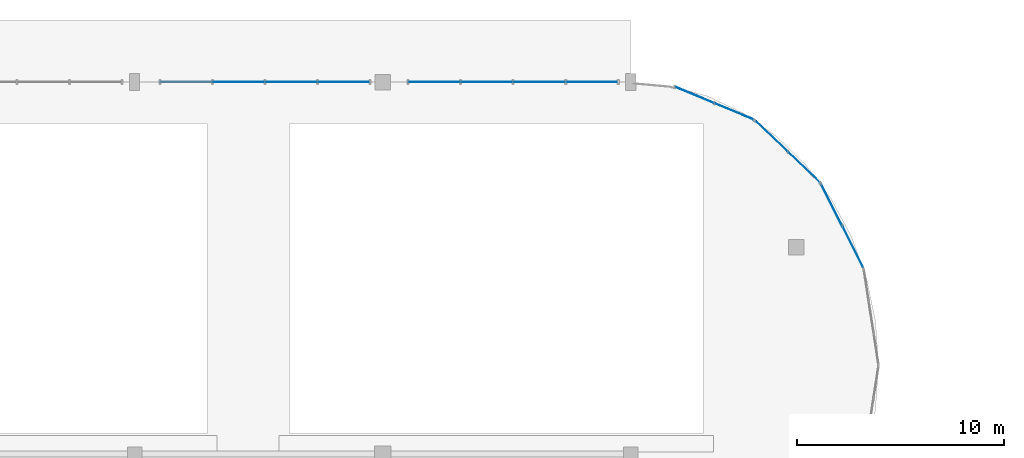
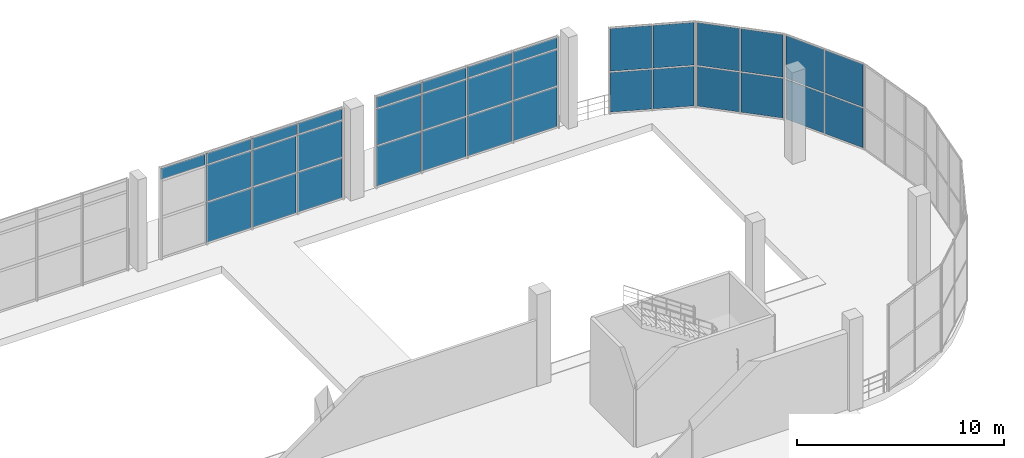
# One storey, part 56 of 85: 34 plates, 5 elements without a shape of their own.
"""IFC4 building model written with IfcOpenShell, lengths in metres."""

from ifc_helpers import new_model, si_unit, direction, frame, origin, origin_2d, place, context, subcontext, project, spatial, rectangle, extrude, material, layer, layer_set, type_object, element, aggregate, save


model = new_model("IFC4")

# Units and contexts
model_context = context("Model", 3, precision=1e-05, world=origin(), true_north=direction((0.0, 1.0)))
body_context = subcontext(model_context, "Body", "Model", "MODEL_VIEW")
ifc_project = project(units=[si_unit("LENGTHUNIT", "METRE"), si_unit("AREAUNIT", "SQUARE_METRE"), si_unit("VOLUMEUNIT", "CUBIC_METRE"), si_unit("PLANEANGLEUNIT", "RADIAN"), si_unit("MASSUNIT", "GRAM", prefix="KILO"), si_unit("THERMODYNAMICTEMPERATUREUNIT", "KELVIN"), si_unit("POWERUNIT", "WATT")], contexts=[model_context])

# Site, building, storey
site_placement = place(None, origin())
site = spatial("IfcSite", under=ifc_project, at=site_placement, CompositionType="ELEMENT")
building_placement = place(site_placement, origin())
building = spatial("IfcBuilding", under=site, at=building_placement, Name="Solmara Park Aquatics Centre", CompositionType="ELEMENT")
storey_placement = place(building_placement, origin())
storey = spatial("IfcBuildingStorey", under=building, at=storey_placement, Name="L00", CompositionType="ELEMENT", Elevation=0.0)

# Curtain wall, plates
ifc_material_1 = material(Name="Anodised Aluminium Curtain Wall Framing", Category="aluminium")
curtain_wall_type_1 = type_object("IfcCurtainWallType", Name="ARC-CW-SYS06", PredefinedType="USERDEFINED", material=ifc_material_1)
curtain_wall_1_placement = place(storey_placement, origin())
curtain_wall_1 = element("IfcCurtainWall", 1, at=curtain_wall_1_placement, inside=storey, type_object=curtain_wall_type_1, Name="Curtain Wall CW-145", ObjectType="CURTAIN WALL", PredefinedType="USERDEFINED")
ifc_material_2 = material(Name="Acoustic Laminated Glazing", Category="glass")
ifc_layer_1 = layer(ifc_material_2, 0.028076171875, Name="Acoustic Laminated Glazing")
ifc_layer_set_1 = layer_set([ifc_layer_1], Name="Acoustic Laminated Glazing")
plate_type_1 = type_object("IfcPlateType", Name="ARC-CWP-GLZ28-2000x2320", PredefinedType="CURTAIN_PANEL", material=ifc_layer_set_1)
plate_1_placement = place(storey_placement, frame((161.02099609375, 134.5712890625, 0.080078125), z_axis=(0.0, 0.0, 1.0), x_axis=(-0.923440779026, 0.383740964235, 0.0)))
plate_1 = element("IfcPlate", 2, at=plate_1_placement, type_object=plate_type_1, Name="CW-145 panel 1", PredefinedType="CURTAIN_PANEL", context=body_context, shape_type="SweptSolid", body=[
    extrude(rectangle(XDim=2.00048828125, YDim=0.028076171875, at=origin_2d()), origin(), (0.0, 0.0, 1.0), 2.330078125),
])
plate_2_placement = place(storey_placement, frame((159.099853515625, 135.36962890625, 0.080078125), z_axis=(0.0, 0.0, 1.0), x_axis=(-0.923440779026, 0.383740964235, 0.0)))
plate_2 = element("IfcPlate", 3, at=plate_2_placement, type_object=plate_type_1, Name="CW-145 panel 3", PredefinedType="CURTAIN_PANEL", context=body_context, shape_type="SweptSolid", body=[
    extrude(rectangle(XDim=2.00048828125, YDim=0.028076171875, at=origin_2d()), origin(), (0.0, 0.0, 1.0), 2.330078125),
])
ifc_layer_2 = layer(ifc_material_2, 0.028076171875, Name="Acoustic Laminated Glazing")
ifc_layer_set_2 = layer_set([ifc_layer_2], Name="Acoustic Laminated Glazing")
plate_type_2 = type_object("IfcPlateType", Name="ARC-CWP-GLZ28-2000x2500", PredefinedType="CURTAIN_PANEL", material=ifc_layer_set_2)
plate_3_placement = place(storey_placement, frame((161.02099609375, 134.5712890625, 2.490234375), z_axis=(0.0, 0.0, 1.0), x_axis=(-0.923440779026, 0.383740964235, 0.0)))
plate_3 = element("IfcPlate", 4, at=plate_3_placement, type_object=plate_type_2, Name="CW-145 panel 2", PredefinedType="CURTAIN_PANEL", context=body_context, shape_type="SweptSolid", body=[
    extrude(rectangle(XDim=2.00048828125, YDim=0.028076171875, at=origin_2d()), origin(), (0.0, 0.0, 1.0), 2.510009765625),
])
plate_4_placement = place(storey_placement, frame((159.099853515625, 135.36962890625, 2.490234375), z_axis=(0.0, 0.0, 1.0), x_axis=(-0.923440779026, 0.383740964235, 0.0)))
plate_4 = element("IfcPlate", 5, at=plate_4_placement, type_object=plate_type_2, Name="CW-145 panel 4", PredefinedType="CURTAIN_PANEL", context=body_context, shape_type="SweptSolid", body=[
    extrude(rectangle(XDim=2.00048828125, YDim=0.028076171875, at=origin_2d()), origin(), (0.0, 0.0, 1.0), 2.510009765625),
])
aggregate(curtain_wall_1, [plate_1, plate_3, plate_2, plate_4])

curtain_wall_2_placement = place(storey_placement, origin())
curtain_wall_2 = element("IfcCurtainWall", 6, at=curtain_wall_2_placement, inside=storey, type_object=curtain_wall_type_1, Name="Curtain Wall CW-144", ObjectType="CURTAIN WALL", PredefinedType="USERDEFINED")
ifc_layer_3 = layer(ifc_material_2, 0.028076171875, Name="Acoustic Laminated Glazing")
ifc_layer_set_3 = layer_set([ifc_layer_3], Name="Acoustic Laminated Glazing")
plate_type_3 = type_object("IfcPlateType", Name="ARC-CWP-GLZ28-2100x2320", PredefinedType="CURTAIN_PANEL", material=ifc_layer_set_3)
plate_5_placement = place(storey_placement, frame((164.394287109375, 131.87060546875, 0.080078125), z_axis=(0.0, 0.0, 1.0), x_axis=(-0.722121327104, 0.691766426579, 0.0)))
plate_5 = element("IfcPlate", 7, at=plate_5_placement, type_object=plate_type_3, Name="CW-144 panel 1", PredefinedType="CURTAIN_PANEL", context=body_context, shape_type="SweptSolid", body=[
    extrude(rectangle(XDim=2.090576171875, YDim=0.028076171875, at=origin_2d()), origin(), (0.0, 0.0, 1.0), 2.330078125),
])
plate_6_placement = place(storey_placement, frame((162.826904296875, 133.372314453125, 0.080078125), z_axis=(0.0, 0.0, 1.0), x_axis=(-0.722121327104, 0.691766426579, 0.0)))
plate_6 = element("IfcPlate", 8, at=plate_6_placement, type_object=plate_type_3, Name="CW-144 panel 3", PredefinedType="CURTAIN_PANEL", context=body_context, shape_type="SweptSolid", body=[
    extrude(rectangle(XDim=2.090576171875, YDim=0.028076171875, at=origin_2d()), origin(), (0.0, 0.0, 1.0), 2.330078125),
])
ifc_layer_4 = layer(ifc_material_2, 0.028076171875, Name="Acoustic Laminated Glazing")
ifc_layer_set_4 = layer_set([ifc_layer_4], Name="Acoustic Laminated Glazing")
plate_type_4 = type_object("IfcPlateType", Name="ARC-CWP-GLZ28-2100x2500", PredefinedType="CURTAIN_PANEL", material=ifc_layer_set_4)
plate_7_placement = place(storey_placement, frame((164.394287109375, 131.87060546875, 2.490234375), z_axis=(0.0, 0.0, 1.0), x_axis=(-0.722121327104, 0.691766426579, 0.0)))
plate_7 = element("IfcPlate", 9, at=plate_7_placement, type_object=plate_type_4, Name="CW-144 panel 2", PredefinedType="CURTAIN_PANEL", context=body_context, shape_type="SweptSolid", body=[
    extrude(rectangle(XDim=2.090576171875, YDim=0.028076171875, at=origin_2d()), origin(), (0.0, 0.0, 1.0), 2.510009765625),
])
plate_8_placement = place(storey_placement, frame((162.826904296875, 133.372314453125, 2.490234375), z_axis=(0.0, 0.0, 1.0), x_axis=(-0.722121327104, 0.691766426579, 0.0)))
plate_8 = element("IfcPlate", 10, at=plate_8_placement, type_object=plate_type_4, Name="CW-144 panel 4", PredefinedType="CURTAIN_PANEL", context=body_context, shape_type="SweptSolid", body=[
    extrude(rectangle(XDim=2.090576171875, YDim=0.028076171875, at=origin_2d()), origin(), (0.0, 0.0, 1.0), 2.510009765625),
])
aggregate(curtain_wall_2, [plate_5, plate_7, plate_6, plate_8])

curtain_wall_3_placement = place(storey_placement, origin())
curtain_wall_3 = element("IfcCurtainWall", 11, at=curtain_wall_3_placement, inside=storey, type_object=curtain_wall_type_1, Name="Curtain Wall CW-143", ObjectType="CURTAIN WALL", PredefinedType="USERDEFINED")
ifc_layer_5 = layer(ifc_material_2, 0.028076171875, Name="Acoustic Laminated Glazing")
ifc_layer_set_5 = layer_set([ifc_layer_5], Name="Acoustic Laminated Glazing")
plate_type_5 = type_object("IfcPlateType", Name="ARC-CWP-GLZ28-2180x2320", PredefinedType="CURTAIN_PANEL", material=ifc_layer_set_5)
plate_9_placement = place(storey_placement, frame((166.75537109375, 128.015869140625, 0.080078125), z_axis=(0.0, 0.0, 1.0), x_axis=(-0.451288766833, 0.892377974252, 0.0)))
plate_9 = element("IfcPlate", 12, at=plate_9_placement, type_object=plate_type_5, Name="CW-143 panel 1", PredefinedType="CURTAIN_PANEL", context=body_context, shape_type="SweptSolid", body=[
    extrude(rectangle(XDim=2.188720703125, YDim=0.028076171875, at=origin_2d()), origin(), (0.0, 0.0, 1.0), 2.330078125),
])
plate_10_placement = place(storey_placement, frame((165.7314453125, 130.040283203125, 0.080078125), z_axis=(0.0, 0.0, 1.0), x_axis=(-0.451288766833, 0.892377974252, 0.0)))
plate_10 = element("IfcPlate", 13, at=plate_10_placement, type_object=plate_type_5, Name="CW-143 panel 3", PredefinedType="CURTAIN_PANEL", context=body_context, shape_type="SweptSolid", body=[
    extrude(rectangle(XDim=2.188720703125, YDim=0.028076171875, at=origin_2d()), origin(), (0.0, 0.0, 1.0), 2.330078125),
])
ifc_layer_6 = layer(ifc_material_2, 0.028076171875, Name="Acoustic Laminated Glazing")
ifc_layer_set_6 = layer_set([ifc_layer_6], Name="Acoustic Laminated Glazing")
plate_type_6 = type_object("IfcPlateType", Name="ARC-CWP-GLZ28-2180x2500", PredefinedType="CURTAIN_PANEL", material=ifc_layer_set_6)
plate_11_placement = place(storey_placement, frame((166.75537109375, 128.015869140625, 2.490234375), z_axis=(0.0, 0.0, 1.0), x_axis=(-0.451288766833, 0.892377974252, 0.0)))
plate_11 = element("IfcPlate", 14, at=plate_11_placement, type_object=plate_type_6, Name="CW-143 panel 2", PredefinedType="CURTAIN_PANEL", context=body_context, shape_type="SweptSolid", body=[
    extrude(rectangle(XDim=2.188720703125, YDim=0.028076171875, at=origin_2d()), origin(), (0.0, 0.0, 1.0), 2.510009765625),
])
plate_12_placement = place(storey_placement, frame((165.7314453125, 130.040283203125, 2.490234375), z_axis=(0.0, 0.0, 1.0), x_axis=(-0.451288766833, 0.892377974252, 0.0)))
plate_12 = element("IfcPlate", 15, at=plate_12_placement, type_object=plate_type_6, Name="CW-143 panel 4", PredefinedType="CURTAIN_PANEL", context=body_context, shape_type="SweptSolid", body=[
    extrude(rectangle(XDim=2.188720703125, YDim=0.028076171875, at=origin_2d()), origin(), (0.0, 0.0, 1.0), 2.510009765625),
])
aggregate(curtain_wall_3, [plate_9, plate_11, plate_10, plate_12])

curtain_wall_type_2 = type_object("IfcCurtainWallType", Name="ARC-CW-SYS01", PredefinedType="USERDEFINED", material=ifc_material_1)
curtain_wall_4_placement = place(storey_placement, origin())
curtain_wall_4 = element("IfcCurtainWall", 16, at=curtain_wall_4_placement, inside=storey, type_object=curtain_wall_type_2, Name="Curtain Wall CW-115", ObjectType="CURTAIN WALL", PredefinedType="USERDEFINED")
ifc_material_3 = material(Name="Double Low-E Solar-Control Glazing", Category="glass")
ifc_layer_7 = layer(ifc_material_3, 0.035888671875, Name="Double Low-E Solar-Control Glazing")
ifc_layer_set_7 = layer_set([ifc_layer_7], Name="Double Low-E Solar-Control Glazing")
plate_type_7 = type_object("IfcPlateType", Name="ARC-CWP-GLZ36-2460x2120", PredefinedType="CURTAIN_PANEL", material=ifc_layer_set_7)
plate_13_placement = place(storey_placement, frame((137.030029296875, 136.0, 2.489990234375), z_axis=(0.0, 0.0, 1.0), x_axis=(1.0, 0.0, 0.0)))
plate_13 = element("IfcPlate", 17, at=plate_13_placement, type_object=plate_type_7, Name="CW-115 panel 5", PredefinedType="CURTAIN_PANEL", context=body_context, shape_type="SweptSolid", body=[
    extrude(rectangle(XDim=2.4599609375, YDim=0.035888671875, at=origin_2d()), origin(), (0.0, 0.0, 1.0), 2.1201171875),
])
plate_14_placement = place(storey_placement, frame((139.570068359375, 136.0, 2.489990234375), z_axis=(0.0, 0.0, 1.0), x_axis=(1.0, 0.0, 0.0)))
plate_14 = element("IfcPlate", 18, at=plate_14_placement, type_object=plate_type_7, Name="CW-115 panel 8", PredefinedType="CURTAIN_PANEL", context=body_context, shape_type="SweptSolid", body=[
    extrude(rectangle(XDim=2.4599609375, YDim=0.035888671875, at=origin_2d()), origin(), (0.0, 0.0, 1.0), 2.1201171875),
])
plate_15_placement = place(storey_placement, frame((142.110107421875, 136.0, 2.489990234375), z_axis=(0.0, 0.0, 1.0), x_axis=(1.0, 0.0, 0.0)))
plate_15 = element("IfcPlate", 19, at=plate_15_placement, type_object=plate_type_7, Name="CW-115 panel 11", PredefinedType="CURTAIN_PANEL", context=body_context, shape_type="SweptSolid", body=[
    extrude(rectangle(XDim=2.4599609375, YDim=0.035888671875, at=origin_2d()), origin(), (0.0, 0.0, 1.0), 2.1201171875),
])

curtain_wall_5_placement = place(storey_placement, origin())
curtain_wall_5 = element("IfcCurtainWall", 20, at=curtain_wall_5_placement, inside=storey, type_object=curtain_wall_type_2, Name="Curtain Wall CW-116", ObjectType="CURTAIN WALL", PredefinedType="USERDEFINED")
plate_16_placement = place(storey_placement, frame((146.489990234375, 136.0, 2.489990234375), z_axis=(0.0, 0.0, 1.0), x_axis=(1.0, 0.0, 0.0)))
plate_16 = element("IfcPlate", 21, at=plate_16_placement, type_object=plate_type_7, Name="CW-116 panel 2", PredefinedType="CURTAIN_PANEL", context=body_context, shape_type="SweptSolid", body=[
    extrude(rectangle(XDim=2.4599609375, YDim=0.035888671875, at=origin_2d()), origin(), (0.0, 0.0, 1.0), 2.1201171875),
])
plate_17_placement = place(storey_placement, frame((149.030029296875, 136.0, 2.489990234375), z_axis=(0.0, 0.0, 1.0), x_axis=(1.0, 0.0, 0.0)))
plate_17 = element("IfcPlate", 22, at=plate_17_placement, type_object=plate_type_7, Name="CW-116 panel 5", PredefinedType="CURTAIN_PANEL", context=body_context, shape_type="SweptSolid", body=[
    extrude(rectangle(XDim=2.4599609375, YDim=0.035888671875, at=origin_2d()), origin(), (0.0, 0.0, 1.0), 2.1201171875),
])
plate_18_placement = place(storey_placement, frame((151.570068359375, 136.0, 2.489990234375), z_axis=(0.0, 0.0, 1.0), x_axis=(1.0, 0.0, 0.0)))
plate_18 = element("IfcPlate", 23, at=plate_18_placement, type_object=plate_type_7, Name="CW-116 panel 8", PredefinedType="CURTAIN_PANEL", context=body_context, shape_type="SweptSolid", body=[
    extrude(rectangle(XDim=2.4599609375, YDim=0.035888671875, at=origin_2d()), origin(), (0.0, 0.0, 1.0), 2.1201171875),
])
plate_19_placement = place(storey_placement, frame((154.110107421875, 136.0, 2.489990234375), z_axis=(0.0, 0.0, 1.0), x_axis=(1.0, 0.0, 0.0)))
plate_19 = element("IfcPlate", 24, at=plate_19_placement, type_object=plate_type_7, Name="CW-116 panel 11", PredefinedType="CURTAIN_PANEL", context=body_context, shape_type="SweptSolid", body=[
    extrude(rectangle(XDim=2.4599609375, YDim=0.035888671875, at=origin_2d()), origin(), (0.0, 0.0, 1.0), 2.1201171875),
])

# Plate
ifc_layer_8 = layer(ifc_material_3, 0.035888671875, Name="Double Low-E Solar-Control Glazing")
ifc_layer_set_8 = layer_set([ifc_layer_8], Name="Double Low-E Solar-Control Glazing")
plate_type_8 = type_object("IfcPlateType", Name="ARC-CWP-GLZ36-2460x2320", PredefinedType="CURTAIN_PANEL", material=ifc_layer_set_8)
plate_20_placement = place(storey_placement, frame((137.030029296875, 136.0, 0.080078125), z_axis=(0.0, 0.0, 1.0), x_axis=(1.0, 0.0, 0.0)))
plate_20 = element("IfcPlate", 25, at=plate_20_placement, type_object=plate_type_8, Name="CW-115 panel 4", PredefinedType="CURTAIN_PANEL", context=body_context, shape_type="SweptSolid", body=[
    extrude(rectangle(XDim=2.4599609375, YDim=0.035888671875, at=origin_2d()), origin(), (0.0, 0.0, 1.0), 2.330078125),
])

plate_21_placement = place(storey_placement, frame((139.570068359375, 136.0, 0.080078125), z_axis=(0.0, 0.0, 1.0), x_axis=(1.0, 0.0, 0.0)))
plate_21 = element("IfcPlate", 26, at=plate_21_placement, type_object=plate_type_8, Name="CW-115 panel 7", PredefinedType="CURTAIN_PANEL", context=body_context, shape_type="SweptSolid", body=[
    extrude(rectangle(XDim=2.4599609375, YDim=0.035888671875, at=origin_2d()), origin(), (0.0, 0.0, 1.0), 2.330078125),
])

plate_22_placement = place(storey_placement, frame((142.110107421875, 136.0, 0.080078125), z_axis=(0.0, 0.0, 1.0), x_axis=(1.0, 0.0, 0.0)))
plate_22 = element("IfcPlate", 27, at=plate_22_placement, type_object=plate_type_8, Name="CW-115 panel 10", PredefinedType="CURTAIN_PANEL", context=body_context, shape_type="SweptSolid", body=[
    extrude(rectangle(XDim=2.4599609375, YDim=0.035888671875, at=origin_2d()), origin(), (0.0, 0.0, 1.0), 2.330078125),
])

plate_23_placement = place(storey_placement, frame((146.489990234375, 136.0, 0.080078125), z_axis=(0.0, 0.0, 1.0), x_axis=(1.0, 0.0, 0.0)))
plate_23 = element("IfcPlate", 28, at=plate_23_placement, type_object=plate_type_8, Name="CW-116 panel 1", PredefinedType="CURTAIN_PANEL", context=body_context, shape_type="SweptSolid", body=[
    extrude(rectangle(XDim=2.4599609375, YDim=0.035888671875, at=origin_2d()), origin(), (0.0, 0.0, 1.0), 2.330078125),
])

plate_24_placement = place(storey_placement, frame((149.030029296875, 136.0, 0.080078125), z_axis=(0.0, 0.0, 1.0), x_axis=(1.0, 0.0, 0.0)))
plate_24 = element("IfcPlate", 29, at=plate_24_placement, type_object=plate_type_8, Name="CW-116 panel 4", PredefinedType="CURTAIN_PANEL", context=body_context, shape_type="SweptSolid", body=[
    extrude(rectangle(XDim=2.4599609375, YDim=0.035888671875, at=origin_2d()), origin(), (0.0, 0.0, 1.0), 2.330078125),
])

plate_25_placement = place(storey_placement, frame((151.570068359375, 136.0, 0.080078125), z_axis=(0.0, 0.0, 1.0), x_axis=(1.0, 0.0, 0.0)))
plate_25 = element("IfcPlate", 30, at=plate_25_placement, type_object=plate_type_8, Name="CW-116 panel 7", PredefinedType="CURTAIN_PANEL", context=body_context, shape_type="SweptSolid", body=[
    extrude(rectangle(XDim=2.4599609375, YDim=0.035888671875, at=origin_2d()), origin(), (0.0, 0.0, 1.0), 2.330078125),
])

plate_26_placement = place(storey_placement, frame((154.110107421875, 136.0, 0.080078125), z_axis=(0.0, 0.0, 1.0), x_axis=(1.0, 0.0, 0.0)))
plate_26 = element("IfcPlate", 31, at=plate_26_placement, type_object=plate_type_8, Name="CW-116 panel 10", PredefinedType="CURTAIN_PANEL", context=body_context, shape_type="SweptSolid", body=[
    extrude(rectangle(XDim=2.4599609375, YDim=0.035888671875, at=origin_2d()), origin(), (0.0, 0.0, 1.0), 2.330078125),
])

ifc_material_4 = material(Name="Golden-Ochre Enamelled Aluminium Fascia Panel", Category="aluminium")
ifc_layer_9 = layer(ifc_material_4, 0.0400390625, Name="Golden-Ochre Enamelled Aluminium Fascia Panel")
ifc_layer_set_9 = layer_set([ifc_layer_9], Name="Golden-Ochre Enamelled Aluminium Fascia Panel")
plate_type_9 = type_object("IfcPlateType", Name="ARC-CWP-OCH40-2460x620", PredefinedType="CURTAIN_PANEL", material=ifc_layer_set_9)
plate_27_placement = place(storey_placement, frame((146.489990234375, 136.0, 4.68994140625), z_axis=(0.0, 0.0, 1.0), x_axis=(1.0, 0.0, 0.0)))
plate_27 = element("IfcPlate", 32, at=plate_27_placement, type_object=plate_type_9, Name="CW-116 panel 3", PredefinedType="CURTAIN_PANEL", context=body_context, shape_type="SweptSolid", body=[
    extrude(rectangle(XDim=2.4599609375, YDim=0.0400390625, at=origin_2d()), origin(), (0.0, 0.0, 1.0), 0.6298828125),
])

plate_28_placement = place(storey_placement, frame((149.030029296875, 136.0, 4.68994140625), z_axis=(0.0, 0.0, 1.0), x_axis=(1.0, 0.0, 0.0)))
plate_28 = element("IfcPlate", 33, at=plate_28_placement, type_object=plate_type_9, Name="CW-116 panel 6", PredefinedType="CURTAIN_PANEL", context=body_context, shape_type="SweptSolid", body=[
    extrude(rectangle(XDim=2.4599609375, YDim=0.0400390625, at=origin_2d()), origin(), (0.0, 0.0, 1.0), 0.6298828125),
])

plate_29_placement = place(storey_placement, frame((151.570068359375, 136.0, 4.68994140625), z_axis=(0.0, 0.0, 1.0), x_axis=(1.0, 0.0, 0.0)))
plate_29 = element("IfcPlate", 34, at=plate_29_placement, type_object=plate_type_9, Name="CW-116 panel 9", PredefinedType="CURTAIN_PANEL", context=body_context, shape_type="SweptSolid", body=[
    extrude(rectangle(XDim=2.4599609375, YDim=0.0400390625, at=origin_2d()), origin(), (0.0, 0.0, 1.0), 0.6298828125),
])

plate_30_placement = place(storey_placement, frame((154.110107421875, 136.0, 4.68994140625), z_axis=(0.0, 0.0, 1.0), x_axis=(1.0, 0.0, 0.0)))
plate_30 = element("IfcPlate", 35, at=plate_30_placement, type_object=plate_type_9, Name="CW-116 panel 12", PredefinedType="CURTAIN_PANEL", context=body_context, shape_type="SweptSolid", body=[
    extrude(rectangle(XDim=2.4599609375, YDim=0.0400390625, at=origin_2d()), origin(), (0.0, 0.0, 1.0), 0.6298828125),
])

aggregate(curtain_wall_5, [plate_23, plate_16, plate_27, plate_24, plate_17, plate_28, plate_25, plate_18, plate_29, plate_26, plate_19, plate_30])

ifc_material_5 = material(Name="Insulated Anodised Aluminium Spandrel Panel", Category="aluminium")
ifc_layer_10 = layer(ifc_material_5, 0.0439453125, Name="Insulated Anodised Aluminium Spandrel Panel")
ifc_layer_set_10 = layer_set([ifc_layer_10], Name="Insulated Anodised Aluminium Spandrel Panel")
plate_type_10 = type_object("IfcPlateType", Name="ARC-CWP-SPN44-2460x620", PredefinedType="CURTAIN_PANEL", material=ifc_layer_set_10)
plate_31_placement = place(storey_placement, frame((134.489990234375, 136.0, 4.68994140625), z_axis=(0.0, 0.0, 1.0), x_axis=(1.0, 0.0, 0.0)))
plate_31 = element("IfcPlate", 36, at=plate_31_placement, type_object=plate_type_10, Name="CW-115 panel 3", PredefinedType="CURTAIN_PANEL", context=body_context, shape_type="SweptSolid", body=[
    extrude(rectangle(XDim=2.4599609375, YDim=0.0439453125, at=origin_2d()), origin(), (0.0, 0.0, 1.0), 0.6298828125),
])

plate_32_placement = place(storey_placement, frame((137.030029296875, 136.0, 4.68994140625), z_axis=(0.0, 0.0, 1.0), x_axis=(1.0, 0.0, 0.0)))
plate_32 = element("IfcPlate", 37, at=plate_32_placement, type_object=plate_type_10, Name="CW-115 panel 6", PredefinedType="CURTAIN_PANEL", context=body_context, shape_type="SweptSolid", body=[
    extrude(rectangle(XDim=2.4599609375, YDim=0.0439453125, at=origin_2d()), origin(), (0.0, 0.0, 1.0), 0.6298828125),
])

plate_33_placement = place(storey_placement, frame((139.570068359375, 136.0, 4.68994140625), z_axis=(0.0, 0.0, 1.0), x_axis=(1.0, 0.0, 0.0)))
plate_33 = element("IfcPlate", 38, at=plate_33_placement, type_object=plate_type_10, Name="CW-115 panel 9", PredefinedType="CURTAIN_PANEL", context=body_context, shape_type="SweptSolid", body=[
    extrude(rectangle(XDim=2.4599609375, YDim=0.0439453125, at=origin_2d()), origin(), (0.0, 0.0, 1.0), 0.6298828125),
])

plate_34_placement = place(storey_placement, frame((142.110107421875, 136.0, 4.68994140625), z_axis=(0.0, 0.0, 1.0), x_axis=(1.0, 0.0, 0.0)))
plate_34 = element("IfcPlate", 39, at=plate_34_placement, type_object=plate_type_10, Name="CW-115 panel 12", PredefinedType="CURTAIN_PANEL", context=body_context, shape_type="SweptSolid", body=[
    extrude(rectangle(XDim=2.4599609375, YDim=0.0439453125, at=origin_2d()), origin(), (0.0, 0.0, 1.0), 0.6298828125),
])

aggregate(curtain_wall_4, [plate_31, plate_20, plate_13, plate_32, plate_21, plate_14, plate_33, plate_22, plate_15, plate_34])

save(model, "model.ifc")
